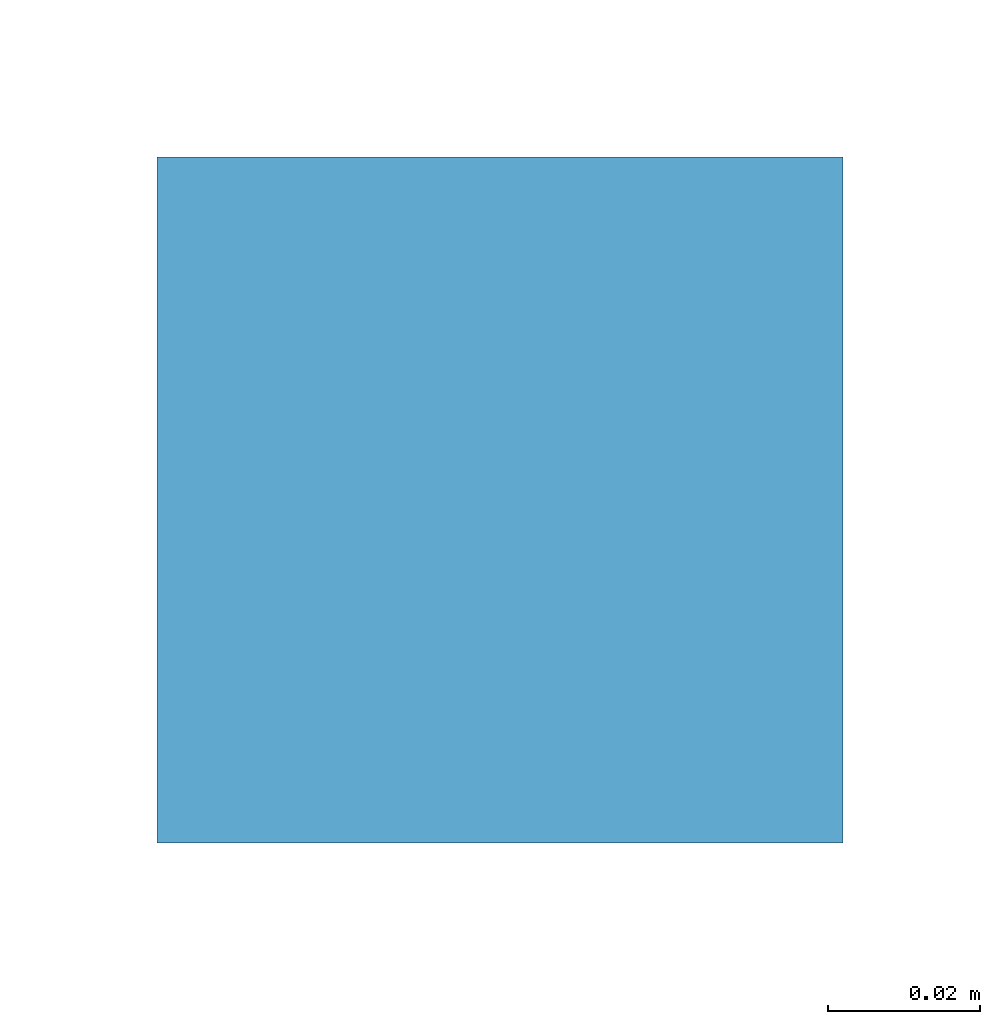
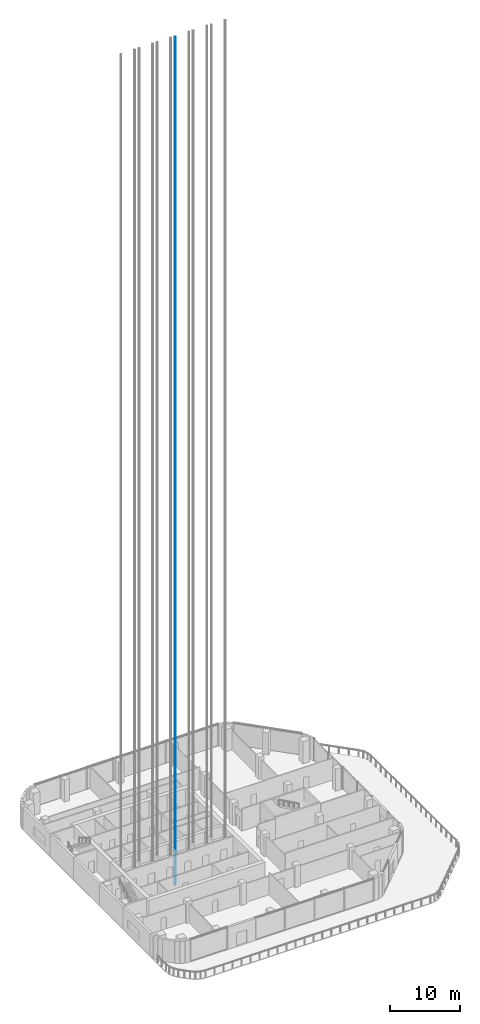
# One storey, part 11 of 29: 1 member.
"""IFC4 building model written with IfcOpenShell, lengths in metres."""

from ifc_helpers import new_model, si_unit, direction, frame, origin, origin_2d, place, context, subcontext, project, spatial, rectangle, extrude, material, material_profile, profile_set, type_object, element, save


model = new_model("IFC4")

# Units and contexts
model_context = context("Model", 3, precision=1e-05, world=origin(), true_north=direction((0.0, 1.0)))
body_context = subcontext(model_context, "Body", "Model", "MODEL_VIEW")
ifc_project = project(units=[si_unit("LENGTHUNIT", "METRE"), si_unit("AREAUNIT", "SQUARE_METRE"), si_unit("VOLUMEUNIT", "CUBIC_METRE"), si_unit("PLANEANGLEUNIT", "RADIAN"), si_unit("MASSUNIT", "GRAM", prefix="KILO")], contexts=[model_context])

# Site, building, storey
site_placement = place(None, origin())
site = spatial("IfcSite", under=ifc_project, at=site_placement, CompositionType="ELEMENT")
building_placement = place(site_placement, origin())
building = spatial("IfcBuilding", under=site, at=building_placement, Name="Cinnabar Reach Civic Tower", CompositionType="ELEMENT")
storey_placement = place(building_placement, frame((0.0, 0.0, 149.0)))
storey = spatial("IfcBuildingStorey", under=building, at=storey_placement, Name="L35", CompositionType="ELEMENT", Elevation=149.0)

# Member
ifc_material = material(Name="Steel Q355B", Category="steel")
ifc_material_profile = material_profile(ifc_material, rectangle(XDim=0.09, YDim=0.09, at=origin_2d()), Name="T1 lift guide rail")
ifc_profile_set = profile_set([ifc_material_profile], Name="Steel Q355B")
member_type = type_object("IfcMemberType", Name="T1 lift guide rail", PredefinedType="USERDEFINED", material=ifc_profile_set)
member_placement = place(storey_placement, frame((13.87, 30.0, -2.5), z_axis=(0.0, 0.0, 1.0), x_axis=(1.0, 0.0, 0.0)))
element("IfcMember", 1, at=member_placement, inside=storey, type_object=member_type, Name="T1-HR4 guide rail 1", ObjectType="GUIDE RAIL", PredefinedType="USERDEFINED", context=body_context, shape_type="SweptSolid", body=[
    extrude(rectangle(XDim=0.09, YDim=0.09, at=origin_2d()), origin(), (0.0, 0.0, 1.0), 148.5),
])

save(model, "model.ifc")
